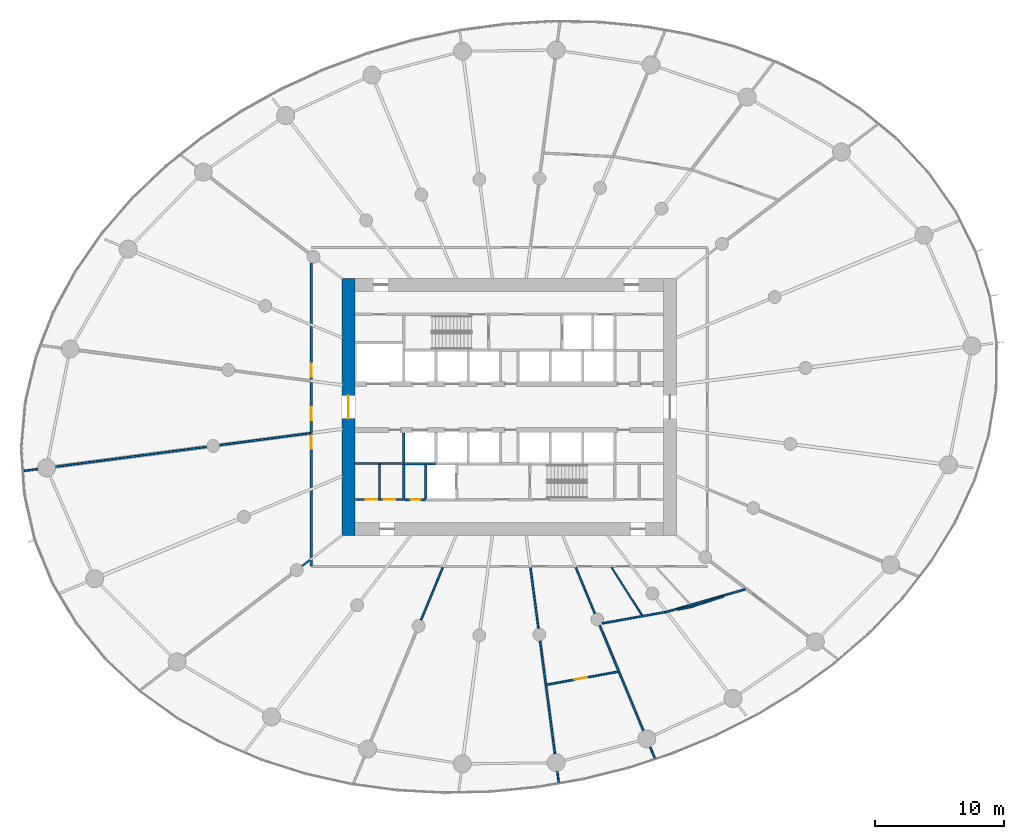
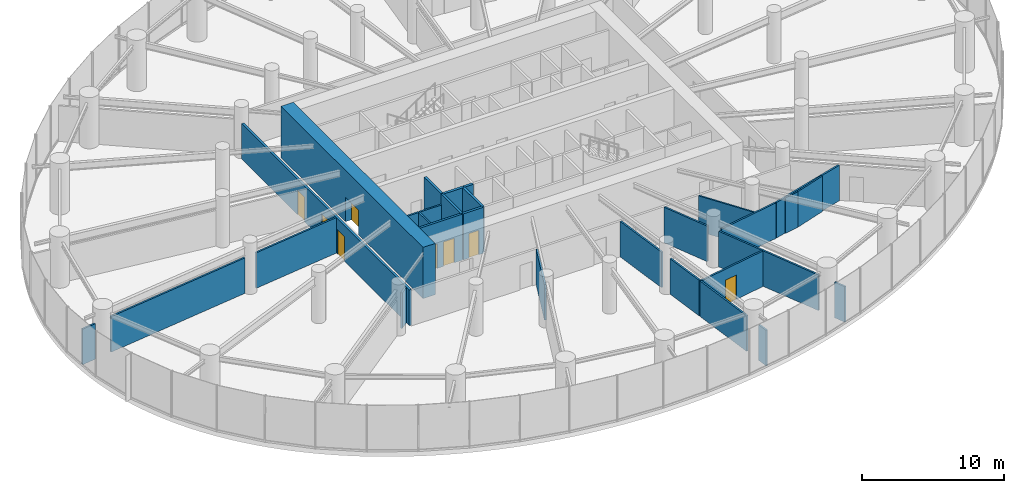
# One storey, part 11 of 18: 30 walls, 8 doors, 8 openings.
"""IFC4 building model written with IfcOpenShell, lengths in metres."""

from ifc_helpers import new_model, si_unit, direction, frame, frame_2d, origin, place, context, subcontext, project, spatial, rectangle, extrude, source, transform, mapped, material, layer, layer_set, type_object, element, fill, save


model = new_model("IFC4")

# Units and contexts
model_context = context("Model", 3, precision=1e-05, world=origin(), true_north=direction((0.0, 1.0)))
body_context = subcontext(model_context, "Body", "Model", "MODEL_VIEW")
ifc_project = project(units=[si_unit("LENGTHUNIT", "METRE"), si_unit("AREAUNIT", "SQUARE_METRE"), si_unit("VOLUMEUNIT", "CUBIC_METRE"), si_unit("PLANEANGLEUNIT", "RADIAN"), si_unit("MASSUNIT", "GRAM", prefix="KILO")], contexts=[model_context])

# Site, building, storey
site_placement = place(None, origin())
site = spatial("IfcSite", under=ifc_project, at=site_placement, CompositionType="ELEMENT")
building_placement = place(site_placement, origin())
building = spatial("IfcBuilding", under=site, at=building_placement, Name="Spindrift Exchange Tower", CompositionType="ELEMENT")
storey_placement = place(building_placement, frame((0.0, 0.0, 62.199951171875)))
storey = spatial("IfcBuildingStorey", under=building, at=storey_placement, Name="L14", CompositionType="ELEMENT", Elevation=62.199951171875)

# Wall, opening, door
ifc_material_1 = material(Name="Concrete 80 MPa", Category="concrete")
ifc_layer_1 = layer(ifc_material_1, 1.0)
ifc_layer_set_1 = layer_set([ifc_layer_1], Name="RC Core Wall 1000 Concrete 80 MPa")
wall_type_1 = type_object("IfcWallType", Name="RC Core Wall 1000 Concrete 80 MPa", PredefinedType="SHEAR", material=ifc_layer_set_1)
wall_1_placement = place(storey_placement, frame((39.5, 58.0, 0.0), z_axis=(0.0, 0.0, 1.0), x_axis=(0.0, -1.0, 0.0)))
wall_1 = element("IfcWall", 1, at=wall_1_placement, inside=storey, type_object=wall_type_1, Name="Core wall W L14", PredefinedType="SHEAR", context=body_context, shape_type="SweptSolid", body=[
    extrude(rectangle(XDim=20.0, YDim=1.0, at=frame_2d((10.0, 0.0))), origin(), (0.0, 0.0, 1.0), 4.400146484375),
])
opening_1_placement = place(wall_1_placement, frame((9.10009765625, 0.0, 0.0)))
opening_1 = element("IfcOpeningElement", 2, at=opening_1_placement, cuts=wall_1, Name="Opening L14-D1", PredefinedType="OPENING", context=body_context, shape_type="SweptSolid", body=[
    extrude(rectangle(XDim=1.800048828125, YDim=2.10009765625, at=frame_2d((0.89990234375, 1.050048828125))), frame((0.0, 0.510009765625, 0.0), z_axis=(0.0, -1.0, 0.0), x_axis=(1.0, 0.0, 0.0)), (0.0, 0.0, 1.0), 1.02001953125),
])
ifc_material_2 = material(Name="Timber-core fire door", Category="wood")
door_type_1 = type_object("IfcDoorType", Name="DR-LOBBY-1800", OperationType="NOTDEFINED", PredefinedType="DOOR", material=ifc_material_2)
shared_shape_1 = source(origin(), body_context, "Body", "SweptSolid", [
    extrude(rectangle(XDim=1.800048828125, YDim=2.10009765625, at=frame_2d((0.89990234375, 1.050048828125))), frame((0.0, 0.02490234375, 0.0), z_axis=(0.0, -1.0, 0.0), x_axis=(1.0, 0.0, 0.0)), (0.0, 0.0, 1.0), 0.050048828125),
])
door_1_placement = place(opening_1_placement, origin())
door_1 = element("IfcDoor", 3, at=door_1_placement, inside=storey, type_object=door_type_1, Name="L14 Lobby door 1", OperationType="SINGLE_SWING_RIGHT", OverallHeight=2.10009765625, OverallWidth=1.800048828125, PredefinedType="DOOR", context=body_context, shape_type="MappedRepresentation", body=[
    mapped(shared_shape_1, transform((0.0, 0.0, 0.0), scale=1.0)),
])
fill(opening_1, door_1)

# Wall, openings, doors
ifc_material_3 = material(Name="Fire-rated plasterboard partition", Category="gypsum")
ifc_layer_2 = layer(ifc_material_3, 0.179931640625)
ifc_layer_set_2 = layer_set([ifc_layer_2], Name="W-CORR-180")
wall_type_2 = type_object("IfcWallType", Name="W-CORR-180", PredefinedType="PARTITIONING", material=ifc_layer_set_2)
wall_2_placement = place(storey_placement, frame((36.60009765625, 35.6298828125, 0.0), z_axis=(0.0, 0.0, 1.0), x_axis=(0.0, 1.0, 0.0)))
wall_2 = element("IfcWall", 4, at=wall_2_placement, inside=storey, type_object=wall_type_2, Name="L14 Partition wall 60", PredefinedType="PARTITIONING", context=body_context, shape_type="SweptSolid", body=[
    extrude(rectangle(XDim=23.58251953125, YDim=0.179931640625, at=frame_2d((11.791259765625, 0.0))), origin(), (0.0, 0.0, 1.0), 3.050048828125),
])
opening_2_placement = place(wall_2_placement, frame((14.732421875, 0.0, 0.0)))
opening_2 = element("IfcOpeningElement", 5, at=opening_2_placement, cuts=wall_2, Name="Opening L14-D35", PredefinedType="OPENING", context=body_context, shape_type="SweptSolid", body=[
    extrude(rectangle(XDim=1.0, YDim=2.10009765625, at=frame_2d((0.5, 1.050048828125))), frame((0.0, 0.099853515625, 0.0), z_axis=(0.0, -1.0, 0.0), x_axis=(1.0, 0.0, 0.0)), (0.0, 0.0, 1.0), 0.199951171875),
])
opening_3_placement = place(wall_2_placement, frame((11.33251953125, 0.0, 0.0)))
opening_3 = element("IfcOpeningElement", 6, at=opening_3_placement, cuts=wall_2, Name="Opening L14-D36", PredefinedType="OPENING", context=body_context, shape_type="SweptSolid", body=[
    extrude(rectangle(XDim=1.0, YDim=2.10009765625, at=frame_2d((0.5, 1.050048828125))), frame((0.0, 0.099853515625, 0.0), z_axis=(0.0, -1.0, 0.0), x_axis=(1.0, 0.0, 0.0)), (0.0, 0.0, 1.0), 0.199951171875),
])
opening_4_placement = place(wall_2_placement, frame((9.132568359375, 0.0, 0.0)))
opening_4 = element("IfcOpeningElement", 7, at=opening_4_placement, cuts=wall_2, Name="Opening L14-D37", PredefinedType="OPENING", context=body_context, shape_type="SweptSolid", body=[
    extrude(rectangle(XDim=1.0, YDim=2.10009765625, at=frame_2d((0.5, 1.050048828125))), frame((0.0, 0.099853515625, 0.0), z_axis=(0.0, -1.0, 0.0), x_axis=(1.0, 0.0, 0.0)), (0.0, 0.0, 1.0), 0.199951171875),
])
door_type_2 = type_object("IfcDoorType", Name="DR-ROOM-1000", OperationType="NOTDEFINED", PredefinedType="DOOR", material=ifc_material_2)
shared_shape_2 = source(origin(), body_context, "Body", "SweptSolid", [
    extrude(rectangle(XDim=1.0, YDim=2.10009765625, at=frame_2d((0.5, 1.050048828125))), frame((0.0, 0.02490234375, 0.0), z_axis=(0.0, -1.0, 0.0), x_axis=(1.0, 0.0, 0.0)), (0.0, 0.0, 1.0), 0.050048828125),
])
door_2_placement = place(opening_2_placement, origin())
door_2 = element("IfcDoor", 8, at=door_2_placement, inside=storey, type_object=door_type_2, Name="L14 Door 35", OperationType="SINGLE_SWING_RIGHT", OverallHeight=2.10009765625, OverallWidth=1.0, PredefinedType="DOOR", context=body_context, shape_type="MappedRepresentation", body=[
    mapped(shared_shape_2, transform((0.0, 0.0, 0.0), scale=1.0)),
])
fill(opening_2, door_2)
door_3_placement = place(opening_3_placement, origin())
door_3 = element("IfcDoor", 9, at=door_3_placement, inside=storey, type_object=door_type_2, Name="L14 Door 36", OperationType="SINGLE_SWING_LEFT", OverallHeight=2.10009765625, OverallWidth=1.0, PredefinedType="DOOR", context=body_context, shape_type="MappedRepresentation", body=[
    mapped(shared_shape_2, transform((0.0, 0.0, 0.0), scale=1.0)),
])
fill(opening_3, door_3)
door_4_placement = place(opening_4_placement, origin())
door_4 = element("IfcDoor", 10, at=door_4_placement, inside=storey, type_object=door_type_2, Name="L14 Door 37", OperationType="SINGLE_SWING_RIGHT", OverallHeight=2.10009765625, OverallWidth=1.0, PredefinedType="DOOR", context=body_context, shape_type="MappedRepresentation", body=[
    mapped(shared_shape_2, transform((0.0, 0.0, 0.0), scale=1.0)),
])
fill(opening_4, door_4)

wall_3_placement = place(storey_placement, frame((40.02001953125, 40.800048828125, 0.0), z_axis=(0.0, 0.0, 1.0), x_axis=(1.0, 0.0, 0.0)))
wall_3 = element("IfcWall", 11, at=wall_3_placement, inside=storey, type_object=wall_type_2, Name="L14 Partition wall 61", PredefinedType="PARTITIONING", context=body_context, shape_type="SweptSolid", body=[
    extrude(rectangle(XDim=3.75, YDim=0.179931640625, at=frame_2d((1.875, 0.0))), origin(), (0.0, 0.0, 1.0), 3.949951171875),
])
opening_5_placement = place(wall_3_placement, frame((0.800048828125, 0.0, 0.0)))
opening_5 = element("IfcOpeningElement", 12, at=opening_5_placement, cuts=wall_3, Name="Opening L14-D43", PredefinedType="OPENING", context=body_context, shape_type="SweptSolid", body=[
    extrude(rectangle(XDim=0.89990234375, YDim=2.10009765625, at=frame_2d((0.449951171875, 1.050048828125))), frame((0.0, 0.099853515625, 0.0), z_axis=(0.0, -1.0, 0.0), x_axis=(1.0, 0.0, 0.0)), (0.0, 0.0, 1.0), 0.199951171875),
])
opening_6_placement = place(wall_3_placement, frame((2.199951171875, 0.0, 0.0)))
opening_6 = element("IfcOpeningElement", 13, at=opening_6_placement, cuts=wall_3, Name="Opening L14-D44", PredefinedType="OPENING", context=body_context, shape_type="SweptSolid", body=[
    extrude(rectangle(XDim=0.89990234375, YDim=2.10009765625, at=frame_2d((0.449951171875, 1.050048828125))), frame((0.0, 0.099853515625, 0.0), z_axis=(0.0, -1.0, 0.0), x_axis=(1.0, 0.0, 0.0)), (0.0, 0.0, 1.0), 0.199951171875),
])
ifc_material_4 = material(Name="Steel access door", Category="steel")
door_type_3 = type_object("IfcDoorType", Name="DR-RISER-900", OperationType="NOTDEFINED", PredefinedType="DOOR", material=ifc_material_4)
shared_shape_3 = source(origin(), body_context, "Body", "SweptSolid", [
    extrude(rectangle(XDim=0.89990234375, YDim=2.10009765625, at=frame_2d((0.449951171875, 1.050048828125))), frame((0.0, 0.02490234375, 0.0), z_axis=(0.0, -1.0, 0.0), x_axis=(1.0, 0.0, 0.0)), (0.0, 0.0, 1.0), 0.050048828125),
])
door_5_placement = place(opening_5_placement, origin())
door_5 = element("IfcDoor", 14, at=door_5_placement, inside=storey, type_object=door_type_3, Name="L14 Riser door 43", OperationType="SINGLE_SWING_RIGHT", OverallHeight=2.10009765625, OverallWidth=0.89990234375, PredefinedType="DOOR", context=body_context, shape_type="MappedRepresentation", body=[
    mapped(shared_shape_3, transform((0.0, 0.0, 0.0), scale=1.0)),
])
fill(opening_5, door_5)
door_6_placement = place(opening_6_placement, origin())
door_6 = element("IfcDoor", 15, at=door_6_placement, inside=storey, type_object=door_type_3, Name="L14 Riser door 44", OperationType="SINGLE_SWING_LEFT", OverallHeight=2.10009765625, OverallWidth=0.89990234375, PredefinedType="DOOR", context=body_context, shape_type="MappedRepresentation", body=[
    mapped(shared_shape_3, transform((0.0, 0.0, 0.0), scale=1.0)),
])
fill(opening_6, door_6)

# Walls
ifc_layer_3 = layer(ifc_material_3, 0.139892578125)
ifc_layer_set_3 = layer_set([ifc_layer_3], Name="W-PART-140")
wall_type_3 = type_object("IfcWallType", Name="W-PART-140", PredefinedType="PARTITIONING", material=ifc_layer_set_3)
wall_4_placement = place(storey_placement, frame((28.466064453125, 44.901611328125, 0.0), z_axis=(0.0, 0.0, 1.0), x_axis=(-0.991446586451, -0.130513088287, 0.0)))
element("IfcWall", 16, at=wall_4_placement, inside=storey, type_object=wall_type_3, Name="L14 Partition wall 65", PredefinedType="PARTITIONING", context=body_context, shape_type="SweptSolid", body=[
    extrude(rectangle(XDim=11.85986328125, YDim=0.139892578125, at=frame_2d((5.929931640625, 0.0))), origin(), (0.0, 0.0, 1.0), 3.050048828125),
])
wall_5_placement = place(storey_placement, frame((36.510009765625, 45.960693359375, 0.0), z_axis=(0.0, 0.0, 1.0), x_axis=(-0.99144622305, -0.130515848849, 0.0)))
element("IfcWall", 17, at=wall_5_placement, inside=storey, type_object=wall_type_3, Name="L14 Partition wall 75", PredefinedType="PARTITIONING", context=body_context, shape_type="SweptSolid", body=[
    extrude(rectangle(XDim=7.1044921875, YDim=0.139892578125, at=frame_2d((3.55224609375, 0.0))), origin(), (0.0, 0.0, 1.0), 3.050048828125),
])
wall_6_placement = place(storey_placement, frame((64.227783203125, 32.064453125, 0.0), z_axis=(0.0, 0.0, 1.0), x_axis=(0.961015140523, 0.276495749849, 0.0)))
element("IfcWall", 18, at=wall_6_placement, inside=storey, type_object=wall_type_3, Name="L14 Partition wall 77", PredefinedType="PARTITIONING", context=body_context, shape_type="SweptSolid", body=[
    extrude(rectangle(XDim=6.3759765625, YDim=0.139892578125, at=frame_2d((3.18798828125, 0.0))), origin(), (0.0, 0.0, 1.0), 3.050048828125),
])
wall_7_placement = place(storey_placement, frame((54.84912109375, 26.35888671875, 0.0), z_axis=(0.0, 0.0, 1.0), x_axis=(0.130530984963, -0.991444230385, 0.0)))
element("IfcWall", 19, at=wall_7_placement, inside=storey, type_object=wall_type_3, Name="L14 Partition wall 84", PredefinedType="PARTITIONING", context=body_context, shape_type="SweptSolid", body=[
    extrude(rectangle(XDim=5.367919921875, YDim=0.139892578125, at=frame_2d((2.68408203125, 0.0))), origin(), (0.0, 0.0, 1.0), 3.050048828125),
])
wall_8_placement = place(storey_placement, frame((59.240234375, 31.173095703125, 0.0), z_axis=(0.0, 0.0, 1.0), x_axis=(0.984405997554, 0.1759114322, 0.0)))
element("IfcWall", 20, at=wall_8_placement, inside=storey, type_object=wall_type_3, Name="L14 Partition wall 86", PredefinedType="PARTITIONING", context=body_context, shape_type="SweptSolid", body=[
    extrude(rectangle(XDim=5.03662109375, YDim=0.139892578125, at=frame_2d((2.518310546875, 0.0))), origin(), (0.0, 0.0, 1.0), 3.050048828125),
])
wall_9_placement = place(storey_placement, frame((46.826416015625, 35.510009765625, 0.0), z_axis=(0.0, 0.0, 1.0), x_axis=(-0.382672831764, -0.923883923353, 0.0)))
element("IfcWall", 21, at=wall_9_placement, inside=storey, type_object=wall_type_3, Name="L14 Partition wall 89", PredefinedType="PARTITIONING", context=body_context, shape_type="SweptSolid", body=[
    extrude(rectangle(XDim=4.410400390625, YDim=0.139892578125, at=frame_2d((2.205078125, 0.0))), origin(), (0.0, 0.0, 1.0), 3.050048828125),
])
wall_10_placement = place(storey_placement, frame((41.89990234375, 40.889892578125, 0.0), z_axis=(0.0, 0.0, 1.0), x_axis=(0.0, 1.0, 0.0)))
element("IfcWall", 22, at=wall_10_placement, inside=storey, type_object=wall_type_3, Name="L14 Partition wall 95", PredefinedType="PARTITIONING", context=body_context, shape_type="SweptSolid", body=[
    extrude(rectangle(XDim=2.710205078125, YDim=0.139892578125, at=frame_2d((1.35498046875, 0.0))), origin(), (0.0, 0.0, 1.0), 3.050048828125),
])
wall_11_placement = place(storey_placement, frame((43.77001953125, 43.60009765625, 0.0), z_axis=(0.0, 0.0, 1.0), x_axis=(-1.0, 0.0, 0.0)))
element("IfcWall", 23, at=wall_11_placement, inside=storey, type_object=wall_type_3, Name="L14 Partition wall 101", PredefinedType="PARTITIONING", context=body_context, shape_type="SweptSolid", body=[
    extrude(rectangle(XDim=1.840087890625, YDim=0.139892578125, at=frame_2d((0.919921875, 0.0))), origin(), (0.0, 0.0, 1.0), 3.050048828125),
])
wall_12_placement = place(storey_placement, frame((41.8701171875, 43.60009765625, 0.0), z_axis=(0.0, 0.0, 1.0), x_axis=(-1.0, 0.0, 0.0)))
element("IfcWall", 24, at=wall_12_placement, inside=storey, type_object=wall_type_3, Name="L14 Partition wall 104", PredefinedType="PARTITIONING", context=body_context, shape_type="SweptSolid", body=[
    extrude(rectangle(XDim=1.85009765625, YDim=0.139892578125, at=frame_2d((0.925048828125, 0.0))), origin(), (0.0, 0.0, 1.0), 3.050048828125),
])
wall_13_placement = place(storey_placement, frame((15.311279296875, 43.169921875, 0.0), z_axis=(0.0, 0.0, 1.0), x_axis=(-0.991440869664, -0.130556508687, 0.0)))
element("IfcWall", 25, at=wall_13_placement, inside=storey, type_object=wall_type_3, Name="L14 Partition wall 112", PredefinedType="PARTITIONING", context=body_context, shape_type="SweptSolid", body=[
    extrude(rectangle(XDim=1.114501953125, YDim=0.139892578125, at=frame_2d((0.55712890625, 0.0))), origin(), (0.0, 0.0, 1.0), 3.050048828125),
])
wall_14_placement = place(storey_placement, frame((36.510009765625, 36.114013671875, 0.0), z_axis=(0.0, 0.0, 1.0), x_axis=(-0.793316076519, -0.608809989025, 0.0)))
element("IfcWall", 26, at=wall_14_placement, inside=storey, type_object=wall_type_3, Name="L14 Partition wall 113", PredefinedType="PARTITIONING", context=body_context, shape_type="SweptSolid", body=[
    extrude(rectangle(XDim=0.8125, YDim=0.139892578125, at=frame_2d((0.40625, 0.0))), origin(), (0.0, 0.0, 1.0), 3.050048828125),
])
wall_15_placement = place(storey_placement, frame((62.960205078125, 21.5400390625, 0.0), z_axis=(0.0, 0.0, 1.0), x_axis=(0.382532297319, -0.923942120215, 0.0)))
element("IfcWall", 27, at=wall_15_placement, inside=storey, type_object=wall_type_3, Name="L14 Partition wall 115", PredefinedType="PARTITIONING", context=body_context, shape_type="SweptSolid", body=[
    extrude(rectangle(XDim=0.915771484375, YDim=0.139892578125, at=frame_2d((0.4580078125, 0.0))), origin(), (0.0, 0.0, 1.0), 3.050048828125),
])
wall_16_placement = place(storey_placement, frame((55.733642578125, 19.640380859375, 0.0), z_axis=(0.0, 0.0, 1.0), x_axis=(0.130582405154, -0.991437459179, 0.0)))
element("IfcWall", 28, at=wall_16_placement, inside=storey, type_object=wall_type_3, Name="L14 Partition wall 116", PredefinedType="PARTITIONING", context=body_context, shape_type="SweptSolid", body=[
    extrude(rectangle(XDim=0.83935546875, YDim=0.139892578125, at=frame_2d((0.419677734375, 0.0))), origin(), (0.0, 0.0, 1.0), 3.050048828125),
])
ifc_layer_4 = layer(ifc_material_3, 0.139892578125)
ifc_layer_set_4 = layer_set([ifc_layer_4], Name="W-PLANT-140")
wall_type_4 = type_object("IfcWallType", Name="W-PLANT-140", PredefinedType="PARTITIONING", material=ifc_layer_set_4)
wall_17_placement = place(storey_placement, frame((59.034912109375, 31.015869140625, 0.0), z_axis=(0.0, 0.0, 1.0), x_axis=(0.382692208588, -0.923875897232, 0.0)))
element("IfcWall", 29, at=wall_17_placement, inside=storey, type_object=wall_type_4, Name="L14 Partition wall 73", PredefinedType="PARTITIONING", context=body_context, shape_type="SweptSolid", body=[
    extrude(rectangle(XDim=8.846435546875, YDim=0.139892578125, at=frame_2d((4.42333984375, 0.0))), origin(), (0.0, 0.0, 1.0), 3.050048828125),
])

# Wall, opening, door
wall_18_placement = place(storey_placement, frame((60.452880859375, 27.41015625, 0.0), z_axis=(0.0, 0.0, 1.0), x_axis=(-0.983810919706, -0.179209581961, 0.0)))
wall_18 = element("IfcWall", 30, at=wall_18_placement, inside=storey, type_object=wall_type_4, Name="L14 Partition wall 81", PredefinedType="PARTITIONING", context=body_context, shape_type="SweptSolid", body=[
    extrude(rectangle(XDim=5.699951171875, YDim=0.139892578125, at=frame_2d((2.85009765625, 0.0))), origin(), (0.0, 0.0, 1.0), 3.050048828125),
])
opening_7_placement = place(wall_18_placement, frame((2.449951171875, 0.0, 0.0)))
opening_7 = element("IfcOpeningElement", 31, at=opening_7_placement, cuts=wall_18, Name="Opening L14-D41", PredefinedType="OPENING", context=body_context, shape_type="SweptSolid", body=[
    extrude(rectangle(XDim=1.0, YDim=2.10009765625, at=frame_2d((0.5, 1.050048828125))), frame((0.0, 0.079833984375, 0.0), z_axis=(0.0, -1.0, 0.0), x_axis=(1.0, 0.0, 0.0)), (0.0, 0.0, 1.0), 0.159912109375),
])
door_7_placement = place(opening_7_placement, origin())
door_7 = element("IfcDoor", 32, at=door_7_placement, inside=storey, type_object=door_type_2, Name="L14 Door 41", OperationType="SINGLE_SWING_RIGHT", OverallHeight=2.10009765625, OverallWidth=1.0, PredefinedType="DOOR", context=body_context, shape_type="MappedRepresentation", body=[
    mapped(shared_shape_2, transform((0.0, 0.0, 0.0), scale=1.0)),
])
fill(opening_7, door_7)

# Walls
wall_19_placement = place(storey_placement, frame((53.644287109375, 35.510009765625, 0.0), z_axis=(0.0, 0.0, 1.0), x_axis=(0.130548834981, -0.991441880135, 0.0)))
element("IfcWall", 33, at=wall_19_placement, inside=storey, type_object=wall_type_4, Name="L14 Partition wall 88", PredefinedType="PARTITIONING", context=body_context, shape_type="SweptSolid", body=[
    extrude(rectangle(XDim=4.75390625, YDim=0.139892578125, at=frame_2d((2.376953125, 0.0))), origin(), (0.0, 0.0, 1.0), 3.050048828125),
])
wall_20_placement = place(storey_placement, frame((57.173583984375, 35.510009765625, 0.0), z_axis=(0.0, 0.0, 1.0), x_axis=(0.382644558062, -0.923895633817, 0.0)))
element("IfcWall", 34, at=wall_20_placement, inside=storey, type_object=wall_type_4, Name="L14 Partition wall 90", PredefinedType="PARTITIONING", context=body_context, shape_type="SweptSolid", body=[
    extrude(rectangle(XDim=3.854248046875, YDim=0.139892578125, at=frame_2d((1.92724609375, 0.0))), origin(), (0.0, 0.0, 1.0), 3.050048828125),
])
wall_21_placement = place(storey_placement, frame((54.396484375, 29.796630859375, 0.0), z_axis=(0.0, 0.0, 1.0), x_axis=(0.130501398564, -0.991448125205, 0.0)))
element("IfcWall", 35, at=wall_21_placement, inside=storey, type_object=wall_type_4, Name="L14 Partition wall 91", PredefinedType="PARTITIONING", context=body_context, shape_type="SweptSolid", body=[
    extrude(rectangle(XDim=3.367431640625, YDim=0.139892578125, at=frame_2d((1.68359375, 0.0))), origin(), (0.0, 0.0, 1.0), 3.050048828125),
])
ifc_material_5 = material(Name="Concrete 40 MPa", Category="concrete")
ifc_layer_5 = layer(ifc_material_5, 0.199951171875)
ifc_layer_set_5 = layer_set([ifc_layer_5], Name="W-SHAFT-200")
wall_type_5 = type_object("IfcWallType", Name="W-SHAFT-200", PredefinedType="SOLIDWALL", material=ifc_layer_set_5)
for number, where, z_axis, x_axis, name in (
    (36, (43.800048828125, 43.60009765625, 0.0), (0.0, 0.0, 1.0), (0.0, -1.0, 0.0), "L14 Shaft wall 6"),
    (37, (45.5, 43.60009765625, 0.0), (0.0, 0.0, 1.0), (0.0, -1.0, 0.0), "L14 Shaft wall 7"),
):
    element("IfcWall", number, at=place(storey_placement, frame(where, z_axis=z_axis, x_axis=x_axis)), inside=storey, type_object=wall_type_5, Name=name, PredefinedType="SOLIDWALL", context=body_context, shape_type="SweptSolid", body=[
        extrude(rectangle(XDim=2.800048828125, YDim=0.199951171875, at=frame_2d((1.39990234375, 0.0))), origin(), (0.0, 0.0, 1.0), 3.949951171875),
    ])
wall_22_placement = place(storey_placement, frame((43.800048828125, 45.989990234375, 0.0), z_axis=(0.0, 0.0, 1.0), x_axis=(0.0, -1.0, 0.0)))
element("IfcWall", 38, at=wall_22_placement, inside=storey, type_object=wall_type_5, Name="L14 Shaft wall 23", PredefinedType="SOLIDWALL", context=body_context, shape_type="SweptSolid", body=[
    extrude(rectangle(XDim=2.360107421875, YDim=0.199951171875, at=frame_2d((1.18017578125, 0.0))), origin(), (0.0, 0.0, 1.0), 3.949951171875),
])
wall_23_placement = place(storey_placement, frame((43.830078125, 43.60009765625, 0.0), z_axis=(0.0, 0.0, 1.0), x_axis=(1.0, 0.0, 0.0)))
element("IfcWall", 39, at=wall_23_placement, inside=storey, type_object=wall_type_5, Name="L14 Shaft wall 40", PredefinedType="SOLIDWALL", context=body_context, shape_type="SweptSolid", body=[
    extrude(rectangle(XDim=1.639892578125, YDim=0.199951171875, at=frame_2d((0.81982421875, 0.0))), origin(), (0.0, 0.0, 1.0), 3.949951171875),
])

# Wall, opening, door
wall_24_placement = place(storey_placement, frame((43.830078125, 40.800048828125, 0.0), z_axis=(0.0, 0.0, 1.0), x_axis=(1.0, 0.0, 0.0)))
wall_24 = element("IfcWall", 40, at=wall_24_placement, inside=storey, type_object=wall_type_5, Name="L14 Shaft wall 41", PredefinedType="SOLIDWALL", context=body_context, shape_type="SweptSolid", body=[
    extrude(rectangle(XDim=1.639892578125, YDim=0.199951171875, at=frame_2d((0.81982421875, 0.0))), origin(), (0.0, 0.0, 1.0), 3.949951171875),
])
opening_8_placement = place(wall_24_placement, frame((0.469970703125, 0.0, 0.0)))
opening_8 = element("IfcOpeningElement", 41, at=opening_8_placement, cuts=wall_24, Name="Opening L14-D19", PredefinedType="OPENING", context=body_context, shape_type="SweptSolid", body=[
    extrude(rectangle(XDim=0.800048828125, YDim=2.10009765625, at=frame_2d((0.39990234375, 1.050048828125))), frame((0.0, 0.10986328125, 0.0), z_axis=(0.0, -1.0, 0.0), x_axis=(1.0, 0.0, 0.0)), (0.0, 0.0, 1.0), 0.219970703125),
])
door_type_4 = type_object("IfcDoorType", Name="DR-RISER-800", OperationType="NOTDEFINED", PredefinedType="DOOR", material=ifc_material_4)
shared_shape_4 = source(origin(), body_context, "Body", "SweptSolid", [
    extrude(rectangle(XDim=0.800048828125, YDim=2.10009765625, at=frame_2d((0.39990234375, 1.050048828125))), frame((0.0, 0.02490234375, 0.0), z_axis=(0.0, -1.0, 0.0), x_axis=(1.0, 0.0, 0.0)), (0.0, 0.0, 1.0), 0.050048828125),
])
door_8_placement = place(opening_8_placement, origin())
door_8 = element("IfcDoor", 42, at=door_8_placement, inside=storey, type_object=door_type_4, Name="L14 Riser door 19", OperationType="SINGLE_SWING_RIGHT", OverallHeight=2.10009765625, OverallWidth=0.800048828125, PredefinedType="DOOR", context=body_context, shape_type="MappedRepresentation", body=[
    mapped(shared_shape_4, transform((0.0, 0.0, 0.0), scale=1.0)),
])
fill(opening_8, door_8)

# Walls
wall_25_placement = place(storey_placement, frame((45.530029296875, 43.60009765625, 0.0), z_axis=(0.0, 0.0, 1.0), x_axis=(1.0, 0.0, 0.0)))
element("IfcWall", 43, at=wall_25_placement, inside=storey, type_object=wall_type_5, Name="L14 Shaft wall 54", PredefinedType="SOLIDWALL", context=body_context, shape_type="SweptSolid", body=[
    extrude(rectangle(XDim=0.739990234375, YDim=0.199951171875, at=frame_2d((0.3701171875, 0.0))), origin(), (0.0, 0.0, 1.0), 3.949951171875),
])
ifc_layer_6 = layer(ifc_material_3, 0.1201171875)
ifc_layer_set_6 = layer_set([ifc_layer_6], Name="W-WET-120")
wall_type_6 = type_object("IfcWallType", Name="W-WET-120", PredefinedType="PARTITIONING", material=ifc_layer_set_6)
wall_26_placement = place(storey_placement, frame((59.95703125, 35.510009765625, 0.0), z_axis=(0.0, 0.0, 1.0), x_axis=(0.537273543242, -0.84340805055, 0.0)))
element("IfcWall", 44, at=wall_26_placement, inside=storey, type_object=wall_type_6, Name="L14 Partition wall 117", PredefinedType="PARTITIONING", context=body_context, shape_type="SweptSolid", body=[
    extrude(rectangle(XDim=4.404541015625, YDim=0.1201171875, at=frame_2d((2.2021484375, 0.0))), origin(), (0.0, 0.0, 1.0), 3.050048828125),
])
wall_27_placement = place(storey_placement, frame((66.230712890625, 32.4697265625, 0.0), z_axis=(0.0, 0.0, 1.0), x_axis=(0.950105410071, 0.311929013967, 0.0)))
element("IfcWall", 45, at=wall_27_placement, inside=storey, type_object=wall_type_6, Name="L14 Partition wall 118", PredefinedType="PARTITIONING", context=body_context, shape_type="SweptSolid", body=[
    extrude(rectangle(XDim=2.54052734375, YDim=0.1201171875, at=frame_2d((1.270263671875, 0.0))), origin(), (0.0, 0.0, 1.0), 3.050048828125),
])
wall_28_placement = place(storey_placement, frame((65.081787109375, 32.2373046875, 0.0), z_axis=(0.0, 0.0, 1.0), x_axis=(0.980134277469, 0.198335065306, 0.0)))
element("IfcWall", 46, at=wall_28_placement, inside=storey, type_object=wall_type_6, Name="L14 Partition wall 120", PredefinedType="PARTITIONING", context=body_context, shape_type="SweptSolid", body=[
    extrude(rectangle(XDim=1.142333984375, YDim=0.1201171875, at=frame_2d((0.5712890625, 0.0))), origin(), (0.0, 0.0, 1.0), 3.050048828125),
])

save(model, "model.ifc")
